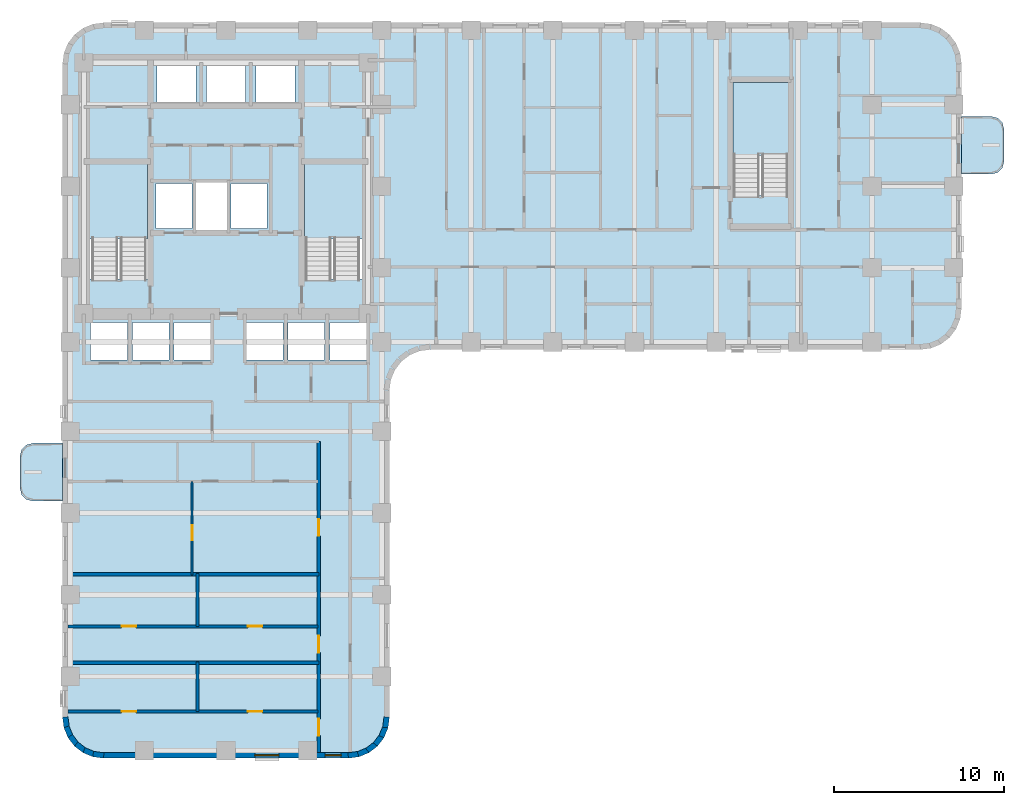
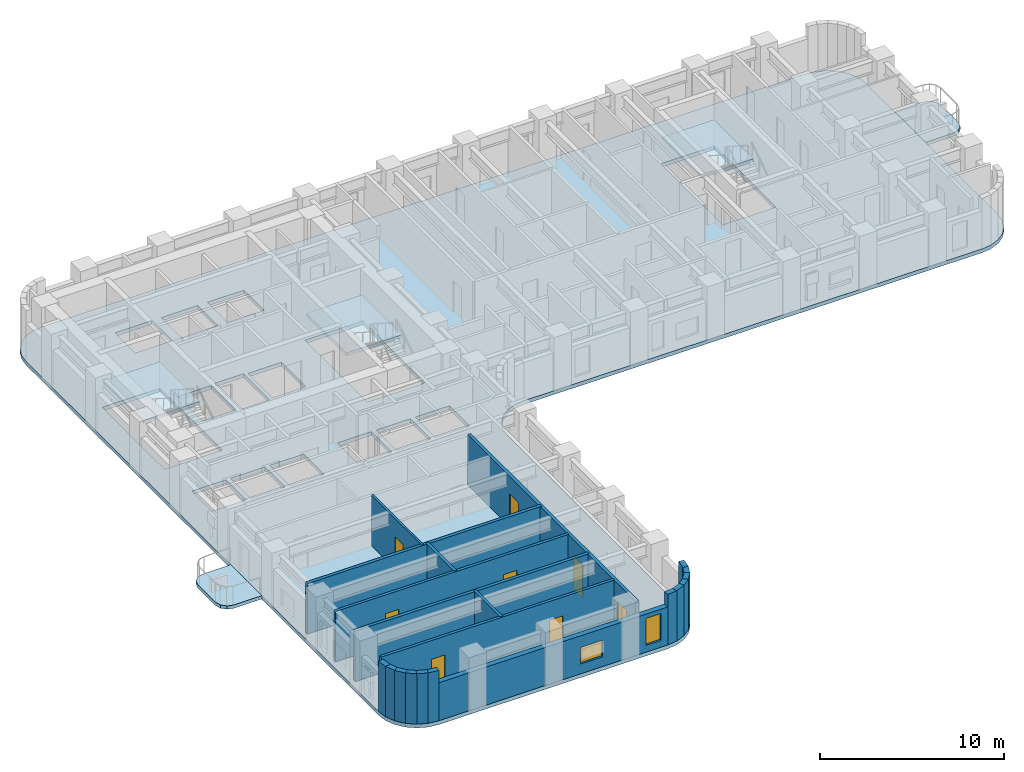
# One storey, part 2 of 11: 21 walls, 8 doors, 6 slabs, 2 windows, 10 openings, 3 elements without a shape of their own.
"""IFC4 building model written with IfcOpenShell, lengths in metres."""

from ifc_helpers import new_model, si_unit, direction, frame, frame_2d, origin, place, context, subcontext, project, spatial, polyline, rectangle, outline, extrude, material, layer, layer_set, type_object, element, fill, aggregate, save


model = new_model("IFC4")

# Units and contexts
model_context = context("Model", 3, precision=1e-05, world=origin(), true_north=direction((0.0, 1.0)))
body_context = subcontext(model_context, "Body", "Model", "MODEL_VIEW")
ifc_project = project(units=[si_unit("LENGTHUNIT", "METRE"), si_unit("AREAUNIT", "SQUARE_METRE"), si_unit("VOLUMEUNIT", "CUBIC_METRE"), si_unit("PLANEANGLEUNIT", "RADIAN"), si_unit("MASSUNIT", "GRAM", prefix="KILO")], contexts=[model_context])

# Site, building, storey
site_placement = place(None, origin())
site = spatial("IfcSite", under=ifc_project, at=site_placement, CompositionType="ELEMENT")
building_placement = place(site_placement, origin())
building = spatial("IfcBuilding", under=site, at=building_placement, Name="Orvandelia Arch Residences", CompositionType="ELEMENT")
storey_placement = place(building_placement, frame((0.0, 0.0, 79.0)))
storey = spatial("IfcBuildingStorey", under=building, at=storey_placement, Name="L20", CompositionType="ELEMENT", Elevation=79.0)

# Slabs
ifc_material_1 = material(Name="Precast concrete C40/50", Category="concrete")
ifc_layer_1 = layer(ifc_material_1, 0.219970703125, Name="Precast concrete C40/50", Category="concrete")
ifc_layer_set_1 = layer_set([ifc_layer_1], Name="Precast concrete C40/50")
slab_type_1 = type_object("IfcSlabType", Name="SLB-BAL-220", PredefinedType="USERDEFINED", material=ifc_layer_set_1)
slab_1_placement = place(storey_placement, frame((0.0, 0.0, -0.219970703125)))
element("IfcSlab", 1, at=slab_1_placement, inside=storey, type_object=slab_type_1, Name="Tree Balcony Cantilever Slab BAL-L20-W1", ObjectType="BALCONY", PredefinedType="USERDEFINED", context=body_context, shape_type="SweptSolid", body=[
    extrude(outline(polyline([(4.800048828125, 19.89990234375), (4.800048828125, 23.300048828125), (3.050048828125, 23.300048828125), (2.675048828125, 23.199462890625), (2.400390625, 22.925048828125), (2.300048828125, 22.550048828125), (2.300048828125, 20.64990234375), (2.400390625, 20.27490234375), (2.675048828125, 20.00048828125), (3.050048828125, 19.89990234375), (4.800048828125, 19.89990234375)])), origin(), (0.0, 0.0, 1.0), 0.219970703125),
])
slab_2_placement = place(storey_placement, frame((0.0, 0.0, -0.219970703125)))
element("IfcSlab", 2, at=slab_2_placement, inside=storey, type_object=slab_type_1, Name="Tree Balcony Cantilever Slab BAL-L20-E1", ObjectType="BALCONY", PredefinedType="USERDEFINED", context=body_context, shape_type="SweptSolid", body=[
    extrude(outline(polyline([(57.60009765625, 42.5), (57.60009765625, 39.10009765625), (59.35009765625, 39.10009765625), (59.72509765625, 39.200439453125), (59.99951171875, 39.47509765625), (60.10009765625, 39.85009765625), (60.10009765625, 41.75), (59.99951171875, 42.125), (59.72509765625, 42.3994140625), (59.35009765625, 42.5), (57.60009765625, 42.5)])), origin(), (0.0, 0.0, 1.0), 0.219970703125),
])

# Stair, slab
ifc_material_2 = material(Name="Concrete C40/50", Category="concrete")
stair_type = type_object("IfcStairType", Name="STAIR-RC-DOGLEG", PredefinedType="HALF_TURN_STAIR", material=ifc_material_2)
stair_1_placement = place(storey_placement, origin())
stair_1 = element("IfcStair", 3, at=stair_1_placement, inside=storey, type_object=stair_type, Name="L20 Protected Exit Stair ST-1", PredefinedType="HALF_TURN_STAIR")
ifc_layer_2 = layer(ifc_material_2, 0.219970703125, Name="Concrete C40/50", Category="concrete")
ifc_layer_set_2 = layer_set([ifc_layer_2], Name="Concrete C40/50")
slab_type_2 = type_object("IfcSlabType", Name="SLB-LANDING-220", PredefinedType="LANDING", material=ifc_layer_set_2)
slab_3_placement = place(storey_placement, frame((0.0, 0.0, 1.60009765625)))
slab_3 = element("IfcSlab", 4, at=slab_3_placement, type_object=slab_type_2, Name="ST-1 landing 1", PredefinedType="LANDING", context=body_context, shape_type="SweptSolid", body=[
    extrude(outline(polyline([(9.800048828125, 35.31005859375), (9.800048828125, 39.68994140625), (6.260009765625, 39.68994140625), (6.260009765625, 35.31005859375), (9.800048828125, 35.31005859375)])), origin(), (0.0, 0.0, 1.0), 0.199951171875),
])
aggregate(stair_1, [slab_3])

stair_2_placement = place(storey_placement, origin())
stair_2 = element("IfcStair", 5, at=stair_2_placement, inside=storey, type_object=stair_type, Name="L20 Protected Exit Stair ST-2", PredefinedType="HALF_TURN_STAIR")
slab_4_placement = place(storey_placement, frame((0.0, 0.0, 1.60009765625)))
slab_4 = element("IfcSlab", 6, at=slab_4_placement, type_object=slab_type_2, Name="ST-2 landing 1", PredefinedType="LANDING", context=body_context, shape_type="SweptSolid", body=[
    extrude(outline(polyline([(22.5400390625, 35.31005859375), (22.5400390625, 39.68994140625), (19.0, 39.68994140625), (19.0, 35.31005859375), (22.5400390625, 35.31005859375)])), origin(), (0.0, 0.0, 1.0), 0.199951171875),
])
aggregate(stair_2, [slab_4])

stair_3_placement = place(storey_placement, origin())
stair_3 = element("IfcStair", 7, at=stair_3_placement, inside=storey, type_object=stair_type, Name="L20 East Wing Exit Stair ST-3", PredefinedType="HALF_TURN_STAIR")
slab_5_placement = place(storey_placement, frame((0.0, 0.0, 1.60009765625)))
slab_5 = element("IfcSlab", 8, at=slab_5_placement, type_object=slab_type_2, Name="ST-3 landing 1", PredefinedType="LANDING", context=body_context, shape_type="SweptSolid", body=[
    extrude(outline(polyline([(47.43994140625, 40.2099609375), (47.43994140625, 44.5), (44.179931640625, 44.5), (44.179931640625, 40.2099609375), (47.43994140625, 40.2099609375)])), origin(), (0.0, 0.0, 1.0), 0.199951171875),
])
aggregate(stair_3, [slab_5])

# Slab
ifc_layer_3 = layer(ifc_material_2, 0.25, Name="Concrete C40/50", Category="concrete")
ifc_layer_set_3 = layer_set([ifc_layer_3], Name="Concrete C40/50")
slab_type_3 = type_object("IfcSlabType", Name="SLB-TWR-250", PredefinedType="FLOOR", material=ifc_layer_set_3)
slab_6_placement = place(storey_placement, frame((0.0, 0.0, -0.25)))
element("IfcSlab", 9, at=slab_6_placement, inside=storey, type_object=slab_type_3, Name="Structural Floor Slab L20-1", PredefinedType="FLOOR", context=body_context, shape_type="SweptSolid", body=[
    extrude(outline(polyline([(4.800048828125, 7.199951171875), (4.8818359375, 6.578857421875), (5.12158203125, 6.0), (5.5029296875, 5.5029296875), (6.0, 5.12158203125), (6.578857421875, 4.8818359375), (7.199951171875, 4.800048828125), (21.60009765625, 4.800048828125), (22.22119140625, 4.8818359375), (22.800048828125, 5.12158203125), (23.297119140625, 5.5029296875), (23.678466796875, 6.0), (23.918212890625, 6.578857421875), (24.0, 7.199951171875), (24.0, 26.39990234375), (24.081787109375, 27.021240234375), (24.321533203125, 27.60009765625), (24.702880859375, 28.09716796875), (25.199951171875, 28.478515625), (25.77880859375, 28.71826171875), (26.39990234375, 28.800048828125), (55.199951171875, 28.800048828125), (55.8212890625, 28.8818359375), (56.39990234375, 29.12158203125), (56.897216796875, 29.5029296875), (57.278564453125, 30.0), (57.518310546875, 30.578857421875), (57.60009765625, 31.199951171875), (57.60009765625, 45.60009765625), (57.518310546875, 46.22119140625), (57.278564453125, 46.800048828125), (56.897216796875, 47.297119140625), (56.39990234375, 47.678466796875), (55.8212890625, 47.918212890625), (55.199951171875, 48.0), (7.199951171875, 48.0), (6.578857421875, 47.918212890625), (6.0, 47.678466796875), (5.5029296875, 47.297119140625), (5.12158203125, 46.800048828125), (4.8818359375, 46.22119140625), (4.800048828125, 45.60009765625), (4.800048828125, 7.199951171875)]), holes=[polyline([(6.219970703125, 32.949951171875), (9.840087890625, 32.949951171875), (9.840087890625, 39.72998046875), (6.219970703125, 39.72998046875), (6.219970703125, 32.949951171875)]), polyline([(18.9599609375, 32.949951171875), (22.580078125, 32.949951171875), (22.580078125, 39.72998046875), (18.9599609375, 39.72998046875), (18.9599609375, 32.949951171875)]), polyline([(44.139892578125, 37.85009765625), (47.47998046875, 37.85009765625), (47.47998046875, 44.5400390625), (44.139892578125, 44.5400390625), (44.139892578125, 37.85009765625)]), polyline([(12.639892578125, 35.81005859375), (14.4599609375, 35.81005859375), (14.4599609375, 38.639892578125), (12.639892578125, 38.639892578125), (12.639892578125, 35.81005859375)]), polyline([(10.300048828125, 35.89990234375), (12.39990234375, 35.89990234375), (12.39990234375, 38.550048828125), (10.300048828125, 38.550048828125), (10.300048828125, 35.89990234375)]), polyline([(14.699951171875, 35.89990234375), (16.800048828125, 35.89990234375), (16.800048828125, 38.550048828125), (14.699951171875, 38.550048828125), (14.699951171875, 35.89990234375)]), polyline([(10.35009765625, 43.300048828125), (12.64990234375, 43.300048828125), (12.64990234375, 45.5), (10.35009765625, 45.5), (10.35009765625, 43.300048828125)]), polyline([(13.25, 43.300048828125), (15.550048828125, 43.300048828125), (15.550048828125, 45.5), (13.25, 45.5), (13.25, 43.300048828125)]), polyline([(16.14990234375, 43.300048828125), (18.449951171875, 43.300048828125), (18.449951171875, 45.5), (16.14990234375, 45.5), (16.14990234375, 43.300048828125)]), polyline([(6.449951171875, 28.199951171875), (8.60009765625, 28.199951171875), (8.60009765625, 30.39990234375), (6.449951171875, 30.39990234375), (6.449951171875, 28.199951171875)]), polyline([(8.89990234375, 28.199951171875), (11.050048828125, 28.199951171875), (11.050048828125, 30.39990234375), (8.89990234375, 30.39990234375), (8.89990234375, 28.199951171875)]), polyline([(11.35009765625, 28.199951171875), (13.5, 28.199951171875), (13.5, 30.39990234375), (11.35009765625, 30.39990234375), (11.35009765625, 28.199951171875)]), polyline([(15.60009765625, 28.199951171875), (17.75, 28.199951171875), (17.75, 30.39990234375), (15.60009765625, 30.39990234375), (15.60009765625, 28.199951171875)]), polyline([(18.050048828125, 28.199951171875), (20.199951171875, 28.199951171875), (20.199951171875, 30.39990234375), (18.050048828125, 30.39990234375), (18.050048828125, 28.199951171875)]), polyline([(20.5, 28.199951171875), (22.64990234375, 28.199951171875), (22.64990234375, 30.39990234375), (20.5, 30.39990234375), (20.5, 28.199951171875)])]), origin(), (0.0, 0.0, 1.0), 0.25),
])

# Wall, openings, doors
ifc_material_3 = material(Name="Fire-Rated Corridor Partition")
ifc_layer_4 = layer(ifc_material_3, 0.199951171875, Name="Fire-Rated Corridor Partition")
ifc_layer_set_4 = layer_set([ifc_layer_4], Name="Fire-Rated Corridor Partition")
wall_type_1 = type_object("IfcWallType", Name="WL-CORR-200", PredefinedType="PARTITIONING", material=ifc_layer_set_4)
wall_1_placement = place(storey_placement, frame((19.85009765625, 5.1201171875, 0.0), z_axis=(0.0, 0.0, 1.0), x_axis=(0.0, 1.0, 0.0)))
wall_1 = element("IfcWall", 10, at=wall_1_placement, inside=storey, type_object=wall_type_1, Name="Interior Partition Wall WL-L20-WC-W", PredefinedType="PARTITIONING", context=body_context, shape_type="SweptSolid", body=[
    extrude(rectangle(XDim=18.27978515625, YDim=0.199951171875, at=frame_2d((9.139892578125, 0.0))), origin(), (0.0, 0.0, 1.0), 3.35009765625),
])
opening_1_placement = place(wall_1_placement, frame((1.0009765625, 0.0, 0.0)))
opening_1 = element("IfcOpeningElement", 11, at=opening_1_placement, cuts=wall_1, Name="Opening D1", PredefinedType="OPENING", context=body_context, shape_type="SweptSolid", body=[
    extrude(rectangle(XDim=0.97998046875, YDim=2.179931640625, at=frame_2d((0.489990234375, 1.08984375))), frame((0.0, 0.10986328125, 0.0), z_axis=(0.0, -1.0, 0.0), x_axis=(1.0, 0.0, 0.0)), (0.0, 0.0, 1.0), 0.219970703125),
])
opening_2_placement = place(wall_1_placement, frame((5.8798828125, 0.0, 0.0)))
opening_2 = element("IfcOpeningElement", 12, at=opening_2_placement, cuts=wall_1, Name="Opening D1", PredefinedType="OPENING", context=body_context, shape_type="SweptSolid", body=[
    extrude(rectangle(XDim=0.97998046875, YDim=2.179931640625, at=frame_2d((0.489990234375, 1.08984375))), frame((0.0, 0.10986328125, 0.0), z_axis=(0.0, -1.0, 0.0), x_axis=(1.0, 0.0, 0.0)), (0.0, 0.0, 1.0), 0.219970703125),
])
opening_3_placement = place(wall_1_placement, frame((12.739990234375, 0.0, 0.0)))
opening_3 = element("IfcOpeningElement", 13, at=opening_3_placement, cuts=wall_1, Name="Opening D1", PredefinedType="OPENING", context=body_context, shape_type="SweptSolid", body=[
    extrude(rectangle(XDim=0.97998046875, YDim=2.179931640625, at=frame_2d((0.489990234375, 1.08984375))), frame((0.0, 0.10986328125, 0.0), z_axis=(0.0, -1.0, 0.0), x_axis=(1.0, 0.0, 0.0)), (0.0, 0.0, 1.0), 0.219970703125),
])
ifc_material_4 = material(Name="Solid-Core Timber Acoustic Fire Door", Category="wood")
door_type_1 = type_object("IfcDoorType", Name="DR-ENT-980", OperationType="NOTDEFINED", PredefinedType="DOOR", material=ifc_material_4)
door_1_placement = place(opening_1_placement, origin())
door_1 = element("IfcDoor", 14, at=door_1_placement, inside=storey, type_object=door_type_1, Name="Unit L20-01 Entrance Door", OperationType="SINGLE_SWING_LEFT", OverallHeight=2.179931640625, OverallWidth=0.97998046875, PredefinedType="DOOR", context=body_context, shape_type="SweptSolid", body=[
    extrude(rectangle(XDim=0.97998046875, YDim=2.179931640625, at=frame_2d((0.489990234375, 1.08984375))), frame((0.0, 0.02490234375, 0.0), z_axis=(0.0, -1.0, 0.0), x_axis=(1.0, 0.0, 0.0)), (0.0, 0.0, 1.0), 0.050048828125),
])
fill(opening_1, door_1)
door_2_placement = place(opening_2_placement, origin())
door_2 = element("IfcDoor", 15, at=door_2_placement, inside=storey, type_object=door_type_1, Name="Unit L20-02 Entrance Door", OperationType="SINGLE_SWING_RIGHT", OverallHeight=2.179931640625, OverallWidth=0.97998046875, PredefinedType="DOOR", context=body_context, shape_type="SweptSolid", body=[
    extrude(rectangle(XDim=0.97998046875, YDim=2.179931640625, at=frame_2d((0.489990234375, 1.08984375))), frame((0.0, 0.02490234375, 0.0), z_axis=(0.0, -1.0, 0.0), x_axis=(1.0, 0.0, 0.0)), (0.0, 0.0, 1.0), 0.050048828125),
])
fill(opening_2, door_2)
door_3_placement = place(opening_3_placement, origin())
door_3 = element("IfcDoor", 16, at=door_3_placement, inside=storey, type_object=door_type_1, Name="Unit L20-03 Entrance Door", OperationType="SINGLE_SWING_LEFT", OverallHeight=2.179931640625, OverallWidth=0.97998046875, PredefinedType="DOOR", context=body_context, shape_type="SweptSolid", body=[
    extrude(rectangle(XDim=0.97998046875, YDim=2.179931640625, at=frame_2d((0.489990234375, 1.08984375))), frame((0.0, 0.02490234375, 0.0), z_axis=(0.0, -1.0, 0.0), x_axis=(1.0, 0.0, 0.0)), (0.0, 0.0, 1.0), 0.050048828125),
])
fill(opening_3, door_3)

# Walls
ifc_layer_5 = layer(ifc_material_2, 0.199951171875, Name="Concrete C40/50", Category="concrete")
ifc_layer_set_5 = layer_set([ifc_layer_5], Name="Concrete C40/50")
wall_type_2 = type_object("IfcWallType", Name="WL-DEM-200", PredefinedType="SOLIDWALL", material=ifc_layer_set_5)
for number, where, z_axis, x_axis, name in (
    (17, (5.1201171875, 10.39990234375, 0.0), (0.0, 0.0, 1.0), (1.0, 0.0, 0.0), "Interior Partition Wall WL-L20-DEM-WL-104"),
    (18, (5.1201171875, 15.60009765625, 0.0), (0.0, 0.0, 1.0), (1.0, 0.0, 0.0), "Interior Partition Wall WL-L20-DEM-WL-156"),
):
    element("IfcWall", number, at=place(storey_placement, frame(where, z_axis=z_axis, x_axis=x_axis)), inside=storey, type_object=wall_type_2, Name=name, PredefinedType="SOLIDWALL", context=body_context, shape_type="SweptSolid", body=[
        extrude(rectangle(XDim=14.72998046875, YDim=0.199951171875, at=frame_2d((7.364990234375, 0.0))), origin(), (0.0, 0.0, 1.0), 3.35009765625),
    ])
ifc_layer_6 = layer(ifc_material_1, 0.320068359375, Name="Precast concrete C40/50", Category="concrete")
ifc_layer_set_6 = layer_set([ifc_layer_6], Name="Precast concrete C40/50")
wall_type_3 = type_object("IfcWallType", Name="WL-EXT-STONE-320", PredefinedType="STANDARD", material=ifc_layer_set_6)
wall_2_placement = place(storey_placement, frame((23.84130859375, 7.220947265625, 0.0), z_axis=(0.0, 0.0, 1.0), x_axis=(-0.130504898859, -0.991447664465, 0.0)))
element("IfcWall", 19, at=wall_2_placement, inside=storey, type_object=wall_type_3, Name="Coral-Limestone Precast Facade Wall L20-029", PredefinedType="STANDARD", context=body_context, shape_type="SweptSolid", body=[
    extrude(rectangle(XDim=0.626708984375, YDim=0.320068359375, at=frame_2d((0.3134765625, 0.0))), origin(), (0.0, 0.0, 1.0), 3.35009765625),
])
wall_3_placement = place(storey_placement, frame((23.7705078125, 6.639892578125, 0.0), z_axis=(0.0, 0.0, 1.0), x_axis=(-0.382787856107, -0.923836271867, 0.0)))
element("IfcWall", 20, at=wall_3_placement, inside=storey, type_object=wall_type_3, Name="Coral-Limestone Precast Facade Wall L20-030", PredefinedType="STANDARD", context=body_context, shape_type="SweptSolid", body=[
    extrude(rectangle(XDim=0.626220703125, YDim=0.320068359375, at=frame_2d((0.31298828125, 0.0))), origin(), (0.0, 0.0, 1.0), 3.35009765625),
])
wall_4_placement = place(storey_placement, frame((23.551513671875, 6.097412109375, 0.0), z_axis=(0.0, 0.0, 1.0), x_axis=(-0.608693302629, -0.793405610854, 0.0)))
element("IfcWall", 21, at=wall_4_placement, inside=storey, type_object=wall_type_3, Name="Coral-Limestone Precast Facade Wall L20-031", PredefinedType="STANDARD", context=body_context, shape_type="SweptSolid", body=[
    extrude(rectangle(XDim=0.62646484375, YDim=0.320068359375, at=frame_2d((0.313232421875, 0.0))), origin(), (0.0, 0.0, 1.0), 3.35009765625),
])
wall_5_placement = place(storey_placement, frame((23.19970703125, 5.6298828125, 0.0), z_axis=(0.0, 0.0, 1.0), x_axis=(-0.7932174212, -0.608938521285, 0.0)))
element("IfcWall", 22, at=wall_5_placement, inside=storey, type_object=wall_type_3, Name="Coral-Limestone Precast Facade Wall L20-032", PredefinedType="STANDARD", context=body_context, shape_type="SweptSolid", body=[
    extrude(rectangle(XDim=0.626708984375, YDim=0.320068359375, at=frame_2d((0.3134765625, 0.0))), origin(), (0.0, 0.0, 1.0), 3.35009765625),
])
for number, where, z_axis, x_axis, name in (
    (23, (22.73876953125, 5.269287109375, 0.0), (0.0, 0.0, 1.0), (-0.92389335771, -0.382650053678, 0.0), "Coral-Limestone Precast Facade Wall L20-033"),
    (24, (22.2001953125, 5.040283203125, 0.0), (0.0, 0.0, 1.0), (-0.9914410257, -0.130555323746, 0.0), "Coral-Limestone Precast Facade Wall L20-034"),
):
    element("IfcWall", number, at=place(storey_placement, frame(where, z_axis=z_axis, x_axis=x_axis)), inside=storey, type_object=wall_type_3, Name=name, PredefinedType="STANDARD", context=body_context, shape_type="SweptSolid", body=[
        extrude(rectangle(XDim=0.62646484375, YDim=0.320068359375, at=frame_2d((0.313232421875, 0.0))), origin(), (0.0, 0.0, 1.0), 3.35009765625),
    ])

# Wall, openings, windows
wall_6_placement = place(storey_placement, frame((21.60009765625, 4.9599609375, 0.0), z_axis=(0.0, 0.0, 1.0), x_axis=(-1.0, 0.0, 0.0)))
wall_6 = element("IfcWall", 25, at=wall_6_placement, inside=storey, type_object=wall_type_3, Name="Coral-Limestone Precast Facade Wall L20-035", PredefinedType="STANDARD", context=body_context, shape_type="SweptSolid", body=[
    extrude(rectangle(XDim=14.400146484375, YDim=0.320068359375, at=frame_2d((7.2001953125, 0.0))), origin(), (0.0, 0.0, 1.0), 2.530029296875),
])
opening_4_placement = place(wall_6_placement, frame((4.10009765625, 0.0, 0.64990234375)))
opening_4 = element("IfcOpeningElement", 26, at=opening_4_placement, cuts=wall_6, Name="Opening W10", PredefinedType="OPENING", context=body_context, shape_type="SweptSolid", body=[
    extrude(rectangle(XDim=1.39990234375, YDim=1.10009765625, at=frame_2d((0.699951171875, 0.550048828125))), frame((0.0, 0.169921875, 0.0), z_axis=(0.0, -1.0, 0.0), x_axis=(1.0, 0.0, 0.0)), (0.0, 0.0, 1.0), 0.340087890625),
])
opening_5_placement = place(wall_6_placement, frame((0.429931640625, 0.0, 0.449951171875)))
opening_5 = element("IfcOpeningElement", 27, at=opening_5_placement, cuts=wall_6, Name="Opening W4", PredefinedType="OPENING", context=body_context, shape_type="SweptSolid", body=[
    extrude(rectangle(XDim=0.949951171875, YDim=1.800048828125, at=frame_2d((0.47509765625, 0.89990234375))), frame((0.0, 0.169921875, 0.0), z_axis=(0.0, -1.0, 0.0), x_axis=(1.0, 0.0, 0.0)), (0.0, 0.0, 1.0), 0.340087890625),
])
ifc_material_5 = material(Name="Tempered Low-E Insulated Glazing", Category="glass")
window_type_1 = type_object("IfcWindowType", Name="WIN-CLR-1400x1100", PartitioningType="SINGLE_PANEL", PredefinedType="WINDOW", material=ifc_material_5)
window_1_placement = place(opening_4_placement, origin())
window_1 = element("IfcWindow", 28, at=window_1_placement, inside=storey, type_object=window_type_1, Name="Recessed Punched Window L20-024", OverallHeight=1.10009765625, OverallWidth=1.39990234375, PartitioningType="SINGLE_PANEL", PredefinedType="WINDOW", context=body_context, shape_type="SweptSolid", body=[
    extrude(rectangle(XDim=1.39990234375, YDim=1.10009765625, at=frame_2d((0.699951171875, 0.550048828125))), frame((0.0, 0.030029296875, 0.0), z_axis=(0.0, -1.0, 0.0), x_axis=(1.0, 0.0, 0.0)), (0.0, 0.0, 1.0), 0.06005859375),
])
fill(opening_4, window_1)
window_type_2 = type_object("IfcWindowType", Name="WIN-RES-0950x1800", PartitioningType="SINGLE_PANEL", PredefinedType="WINDOW", material=ifc_material_5)
window_2_placement = place(opening_5_placement, origin())
window_2 = element("IfcWindow", 29, at=window_2_placement, inside=storey, type_object=window_type_2, Name="Recessed Punched Window L20-025", OverallHeight=1.800048828125, OverallWidth=0.949951171875, PartitioningType="SINGLE_PANEL", PredefinedType="WINDOW", context=body_context, shape_type="SweptSolid", body=[
    extrude(rectangle(XDim=0.949951171875, YDim=1.800048828125, at=frame_2d((0.47509765625, 0.89990234375))), frame((0.0, 0.030029296875, 0.0), z_axis=(0.0, -1.0, 0.0), x_axis=(1.0, 0.0, 0.0)), (0.0, 0.0, 1.0), 0.06005859375),
])
fill(opening_5, window_2)

# Walls
wall_7_placement = place(storey_placement, frame((7.220947265625, 4.95849609375, 0.0), z_axis=(0.0, 0.0, 1.0), x_axis=(-0.991447664465, 0.130504898859, 0.0)))
element("IfcWall", 30, at=wall_7_placement, inside=storey, type_object=wall_type_3, Name="Coral-Limestone Precast Facade Wall L20-036", PredefinedType="STANDARD", context=body_context, shape_type="SweptSolid", body=[
    extrude(rectangle(XDim=0.626708984375, YDim=0.320068359375, at=frame_2d((0.3134765625, 0.0))), origin(), (0.0, 0.0, 1.0), 3.35009765625),
])
wall_8_placement = place(storey_placement, frame((6.639892578125, 5.029541015625, 0.0), z_axis=(0.0, 0.0, 1.0), x_axis=(-0.923836271867, 0.382787856107, 0.0)))
element("IfcWall", 31, at=wall_8_placement, inside=storey, type_object=wall_type_3, Name="Coral-Limestone Precast Facade Wall L20-037", PredefinedType="STANDARD", context=body_context, shape_type="SweptSolid", body=[
    extrude(rectangle(XDim=0.626220703125, YDim=0.320068359375, at=frame_2d((0.31298828125, 0.0))), origin(), (0.0, 0.0, 1.0), 3.35009765625),
])
for number, where, z_axis, x_axis, name in (
    (32, (6.097412109375, 5.248291015625, 0.0), (0.0, 0.0, 1.0), (-0.7932174212, 0.608938521285, 0.0), "Coral-Limestone Precast Facade Wall L20-038"),
    (33, (5.6298828125, 5.600341796875, 0.0), (0.0, 0.0, 1.0), (-0.608938521285, 0.7932174212, 0.0), "Coral-Limestone Precast Facade Wall L20-039"),
):
    element("IfcWall", number, at=place(storey_placement, frame(where, z_axis=z_axis, x_axis=x_axis)), inside=storey, type_object=wall_type_3, Name=name, PredefinedType="STANDARD", context=body_context, shape_type="SweptSolid", body=[
        extrude(rectangle(XDim=0.626708984375, YDim=0.320068359375, at=frame_2d((0.3134765625, 0.0))), origin(), (0.0, 0.0, 1.0), 3.35009765625),
    ])
wall_9_placement = place(storey_placement, frame((5.269287109375, 6.061279296875, 0.0), z_axis=(0.0, 0.0, 1.0), x_axis=(-0.382787856107, 0.923836271867, 0.0)))
element("IfcWall", 34, at=wall_9_placement, inside=storey, type_object=wall_type_3, Name="Coral-Limestone Precast Facade Wall L20-040", PredefinedType="STANDARD", context=body_context, shape_type="SweptSolid", body=[
    extrude(rectangle(XDim=0.626220703125, YDim=0.320068359375, at=frame_2d((0.31298828125, 0.0))), origin(), (0.0, 0.0, 1.0), 3.35009765625),
])
wall_10_placement = place(storey_placement, frame((5.040283203125, 6.599609375, 0.0), z_axis=(0.0, 0.0, 1.0), x_axis=(-0.130504898859, 0.991447664465, 0.0)))
element("IfcWall", 35, at=wall_10_placement, inside=storey, type_object=wall_type_3, Name="Coral-Limestone Precast Facade Wall L20-041", PredefinedType="STANDARD", context=body_context, shape_type="SweptSolid", body=[
    extrude(rectangle(XDim=0.626708984375, YDim=0.320068359375, at=frame_2d((0.3134765625, 0.0))), origin(), (0.0, 0.0, 1.0), 3.35009765625),
])

# Wall, opening, door
ifc_material_6 = material(Name="Double-Layer Acoustic Gypsum Partition")
ifc_layer_7 = layer(ifc_material_6, 0.135009765625, Name="Double-Layer Acoustic Gypsum Partition")
ifc_layer_set_7 = layer_set([ifc_layer_7], Name="Double-Layer Acoustic Gypsum Partition")
wall_type_4 = type_object("IfcWallType", Name="WL-PART-135", PredefinedType="PARTITIONING", material=ifc_layer_set_7)
wall_11_placement = place(storey_placement, frame((12.408935546875, 15.56005859375, 0.0), z_axis=(0.0, 0.0, 1.0), x_axis=(0.0, 1.0, 0.0)))
wall_11 = element("IfcWall", 36, at=wall_11_placement, inside=storey, type_object=wall_type_4, Name="Interior Partition Wall WL-L20-U03-DIN", PredefinedType="PARTITIONING", context=body_context, shape_type="SweptSolid", body=[
    extrude(rectangle(XDim=5.5, YDim=0.135009765625, at=frame_2d((2.75, 0.0))), origin(), (0.0, 0.0, 1.0), 3.35009765625),
])
opening_6_placement = place(wall_11_placement, frame((2.033935546875, 0.0, 0.0)))
opening_6 = element("IfcOpeningElement", 37, at=opening_6_placement, cuts=wall_11, Name="Opening D3", PredefinedType="OPENING", context=body_context, shape_type="SweptSolid", body=[
    extrude(rectangle(XDim=0.89990234375, YDim=2.14990234375, at=frame_2d((0.449951171875, 1.074951171875))), frame((0.0, 0.07763671875, 0.0), z_axis=(0.0, -1.0, 0.0), x_axis=(1.0, 0.0, 0.0)), (0.0, 0.0, 1.0), 0.155029296875),
])
ifc_material_7 = material(Name="Engineered Timber Flush Door", Category="wood")
door_type_2 = type_object("IfcDoorType", Name="DR-INT-900", OperationType="NOTDEFINED", PredefinedType="DOOR", material=ifc_material_7)
door_4_placement = place(opening_6_placement, origin())
door_4 = element("IfcDoor", 38, at=door_4_placement, inside=storey, type_object=door_type_2, Name="DR-L20-U03-DIN", OperationType="SINGLE_SWING_RIGHT", OverallHeight=2.14990234375, OverallWidth=0.89990234375, PredefinedType="DOOR", context=body_context, shape_type="SweptSolid", body=[
    extrude(rectangle(XDim=0.89990234375, YDim=2.14990234375, at=frame_2d((0.449951171875, 1.074951171875))), frame((0.0, 0.02490234375, 0.0), z_axis=(0.0, -1.0, 0.0), x_axis=(1.0, 0.0, 0.0)), (0.0, 0.0, 1.0), 0.050048828125),
])
fill(opening_6, door_4)

# Wall, openings, doors
ifc_material_8 = material(Name="Moisture-Resistant Plumbing Wall")
ifc_layer_8 = layer(ifc_material_8, 0.179931640625, Name="Moisture-Resistant Plumbing Wall")
ifc_layer_set_8 = layer_set([ifc_layer_8], Name="Moisture-Resistant Plumbing Wall")
wall_type_5 = type_object("IfcWallType", Name="WL-WET-180", PredefinedType="PLUMBINGWALL", material=ifc_layer_set_8)
wall_12_placement = place(storey_placement, frame((5.1201171875, 7.5419921875, 0.0), z_axis=(0.0, 0.0, 1.0), x_axis=(1.0, 0.0, 0.0)))
wall_12 = element("IfcWall", 39, at=wall_12_placement, inside=storey, type_object=wall_type_5, Name="Interior Partition Wall WL-L20-U01-HZ", PredefinedType="PLUMBINGWALL", context=body_context, shape_type="SweptSolid", body=[
    extrude(rectangle(XDim=14.669921875, YDim=0.179931640625, at=frame_2d((7.3349609375, 0.0))), origin(), (0.0, 0.0, 1.0), 3.35009765625),
])
opening_7_placement = place(wall_12_placement, frame((3.14501953125, 0.0, 0.0)))
opening_7 = element("IfcOpeningElement", 40, at=opening_7_placement, cuts=wall_12, Name="Opening D4", PredefinedType="OPENING", context=body_context, shape_type="SweptSolid", body=[
    extrude(rectangle(XDim=0.860107421875, YDim=2.10009765625, at=frame_2d((0.43017578125, 1.050048828125))), frame((0.0, 0.10009765625, 0.0), z_axis=(0.0, -1.0, 0.0), x_axis=(1.0, 0.0, 0.0)), (0.0, 0.0, 1.0), 0.199951171875),
])
opening_8_placement = place(wall_12_placement, frame((10.56005859375, 0.0, 0.0)))
opening_8 = element("IfcOpeningElement", 41, at=opening_8_placement, cuts=wall_12, Name="Opening D4", PredefinedType="OPENING", context=body_context, shape_type="SweptSolid", body=[
    extrude(rectangle(XDim=0.860107421875, YDim=2.10009765625, at=frame_2d((0.43017578125, 1.050048828125))), frame((0.0, 0.10009765625, 0.0), z_axis=(0.0, -1.0, 0.0), x_axis=(1.0, 0.0, 0.0)), (0.0, 0.0, 1.0), 0.199951171875),
])
ifc_material_9 = material(Name="Moisture-Sealed Timber Bathroom Door", Category="wood")
door_type_3 = type_object("IfcDoorType", Name="DR-WET-900", OperationType="NOTDEFINED", PredefinedType="DOOR", material=ifc_material_9)
door_5_placement = place(opening_7_placement, origin())
door_5 = element("IfcDoor", 42, at=door_5_placement, inside=storey, type_object=door_type_3, Name="DR-L20-U01-KIT", OperationType="SINGLE_SWING_LEFT", OverallHeight=2.10009765625, OverallWidth=0.860107421875, PredefinedType="DOOR", context=body_context, shape_type="SweptSolid", body=[
    extrude(rectangle(XDim=0.860107421875, YDim=2.10009765625, at=frame_2d((0.43017578125, 1.050048828125))), frame((0.0, 0.02490234375, 0.0), z_axis=(0.0, -1.0, 0.0), x_axis=(1.0, 0.0, 0.0)), (0.0, 0.0, 1.0), 0.050048828125),
])
fill(opening_7, door_5)
door_6_placement = place(opening_8_placement, origin())
door_6 = element("IfcDoor", 43, at=door_6_placement, inside=storey, type_object=door_type_3, Name="DR-L20-U01-BTH", OperationType="SINGLE_SWING_RIGHT", OverallHeight=2.10009765625, OverallWidth=0.860107421875, PredefinedType="DOOR", context=body_context, shape_type="SweptSolid", body=[
    extrude(rectangle(XDim=0.860107421875, YDim=2.10009765625, at=frame_2d((0.43017578125, 1.050048828125))), frame((0.0, 0.02490234375, 0.0), z_axis=(0.0, -1.0, 0.0), x_axis=(1.0, 0.0, 0.0)), (0.0, 0.0, 1.0), 0.050048828125),
])
fill(opening_8, door_6)

# Wall
wall_13_placement = place(storey_placement, frame((12.719970703125, 7.5419921875, 0.0), z_axis=(0.0, 0.0, 1.0), x_axis=(0.0, 1.0, 0.0)))
element("IfcWall", 44, at=wall_13_placement, inside=storey, type_object=wall_type_5, Name="Interior Partition Wall WL-L20-U01-V1", PredefinedType="PLUMBINGWALL", context=body_context, shape_type="SweptSolid", body=[
    extrude(rectangle(XDim=2.89794921875, YDim=0.179931640625, at=frame_2d((1.448974609375, 0.0))), origin(), (0.0, 0.0, 1.0), 3.35009765625),
])

# Wall, openings, doors
wall_14_placement = place(storey_placement, frame((5.1201171875, 12.5400390625, 0.0), z_axis=(0.0, 0.0, 1.0), x_axis=(1.0, 0.0, 0.0)))
wall_14 = element("IfcWall", 45, at=wall_14_placement, inside=storey, type_object=wall_type_5, Name="Interior Partition Wall WL-L20-U02-HZ", PredefinedType="PLUMBINGWALL", context=body_context, shape_type="SweptSolid", body=[
    extrude(rectangle(XDim=14.669921875, YDim=0.179931640625, at=frame_2d((7.3349609375, 0.0))), origin(), (0.0, 0.0, 1.0), 3.35009765625),
])
opening_9_placement = place(wall_14_placement, frame((3.14501953125, 0.0, 0.0)))
opening_9 = element("IfcOpeningElement", 46, at=opening_9_placement, cuts=wall_14, Name="Opening D4", PredefinedType="OPENING", context=body_context, shape_type="SweptSolid", body=[
    extrude(rectangle(XDim=0.860107421875, YDim=2.10009765625, at=frame_2d((0.43017578125, 1.050048828125))), frame((0.0, 0.10009765625, 0.0), z_axis=(0.0, -1.0, 0.0), x_axis=(1.0, 0.0, 0.0)), (0.0, 0.0, 1.0), 0.199951171875),
])
opening_10_placement = place(wall_14_placement, frame((10.56005859375, 0.0, 0.0)))
opening_10 = element("IfcOpeningElement", 47, at=opening_10_placement, cuts=wall_14, Name="Opening D4", PredefinedType="OPENING", context=body_context, shape_type="SweptSolid", body=[
    extrude(rectangle(XDim=0.860107421875, YDim=2.10009765625, at=frame_2d((0.43017578125, 1.050048828125))), frame((0.0, 0.10009765625, 0.0), z_axis=(0.0, -1.0, 0.0), x_axis=(1.0, 0.0, 0.0)), (0.0, 0.0, 1.0), 0.199951171875),
])
door_7_placement = place(opening_9_placement, origin())
door_7 = element("IfcDoor", 48, at=door_7_placement, inside=storey, type_object=door_type_3, Name="DR-L20-U02-KIT", OperationType="SINGLE_SWING_RIGHT", OverallHeight=2.10009765625, OverallWidth=0.860107421875, PredefinedType="DOOR", context=body_context, shape_type="SweptSolid", body=[
    extrude(rectangle(XDim=0.860107421875, YDim=2.10009765625, at=frame_2d((0.43017578125, 1.050048828125))), frame((0.0, 0.02490234375, 0.0), z_axis=(0.0, -1.0, 0.0), x_axis=(1.0, 0.0, 0.0)), (0.0, 0.0, 1.0), 0.050048828125),
])
fill(opening_9, door_7)
door_8_placement = place(opening_10_placement, origin())
door_8 = element("IfcDoor", 49, at=door_8_placement, inside=storey, type_object=door_type_3, Name="DR-L20-U02-BTH", OperationType="SINGLE_SWING_LEFT", OverallHeight=2.10009765625, OverallWidth=0.860107421875, PredefinedType="DOOR", context=body_context, shape_type="SweptSolid", body=[
    extrude(rectangle(XDim=0.860107421875, YDim=2.10009765625, at=frame_2d((0.43017578125, 1.050048828125))), frame((0.0, 0.02490234375, 0.0), z_axis=(0.0, -1.0, 0.0), x_axis=(1.0, 0.0, 0.0)), (0.0, 0.0, 1.0), 0.050048828125),
])
fill(opening_10, door_8)

# Wall
wall_15_placement = place(storey_placement, frame((12.719970703125, 12.5400390625, 0.0), z_axis=(0.0, 0.0, 1.0), x_axis=(0.0, 1.0, 0.0)))
element("IfcWall", 50, at=wall_15_placement, inside=storey, type_object=wall_type_5, Name="Interior Partition Wall WL-L20-U02-V1", PredefinedType="PLUMBINGWALL", context=body_context, shape_type="SweptSolid", body=[
    extrude(rectangle(XDim=3.099853515625, YDim=0.179931640625, at=frame_2d((1.5498046875, 0.0))), origin(), (0.0, 0.0, 1.0), 3.35009765625),
])

save(model, "model.ifc")
